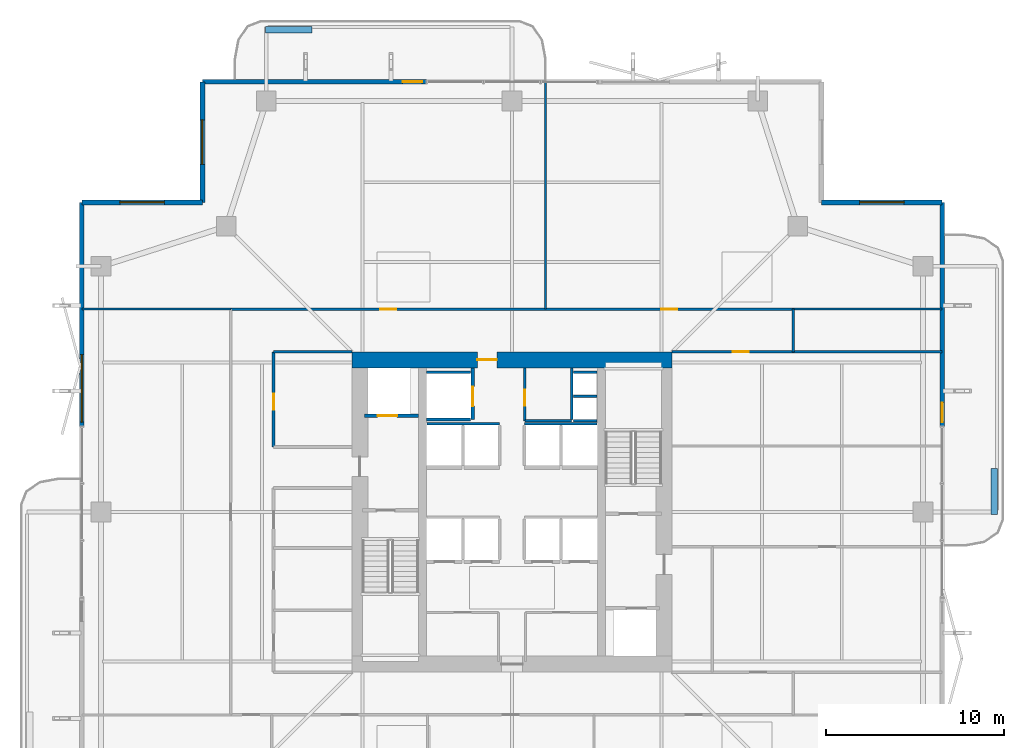
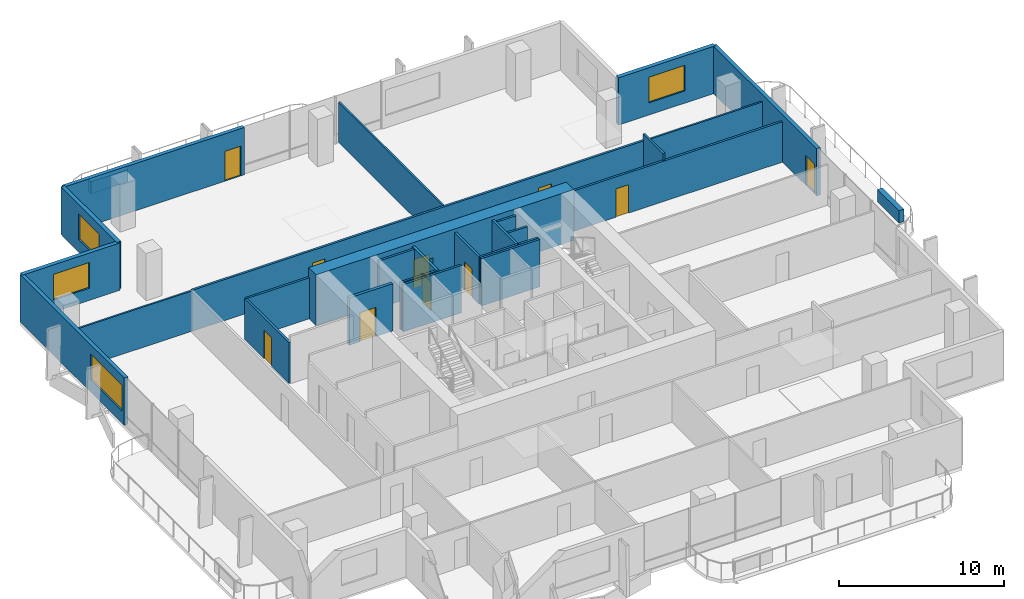
# One storey, part 20 of 24: 29 walls, 10 doors, 4 windows, 14 openings.
"""IFC4 building model written with IfcOpenShell, lengths in metres."""

from ifc_helpers import new_model, si_unit, direction, frame, frame_2d, origin, place, context, subcontext, project, spatial, rectangle, extrude, material, layer, layer_set, type_object, element, fill, save


model = new_model("IFC4")

# Units and contexts
model_context = context("Model", 3, precision=1e-05, world=origin(), true_north=direction((0.0, 1.0)))
body_context = subcontext(model_context, "Body", "Model", "MODEL_VIEW")
ifc_project = project(units=[si_unit("LENGTHUNIT", "METRE"), si_unit("AREAUNIT", "SQUARE_METRE"), si_unit("VOLUMEUNIT", "CUBIC_METRE"), si_unit("PLANEANGLEUNIT", "RADIAN"), si_unit("MASSUNIT", "GRAM", prefix="KILO")], contexts=[model_context])

# Site, building, storey
site_placement = place(None, origin())
site = spatial("IfcSite", under=ifc_project, at=site_placement, CompositionType="ELEMENT")
building_placement = place(site_placement, origin())
building = spatial("IfcBuilding", under=site, at=building_placement, Name="Belovzor Exchange Tower", CompositionType="ELEMENT")
storey_placement = place(building_placement, frame((0.0, 0.0, 168.300048828125)))
storey = spatial("IfcBuildingStorey", under=building, at=storey_placement, Name="L41", CompositionType="ELEMENT", Elevation=168.300048828125)

# Walls
ifc_material_1 = material(Name="Acoustic Plasterboard on Galvanised Studs", Category="gypsum")
ifc_layer_1 = layer(ifc_material_1, 0.1201171875)
ifc_layer_set_1 = layer_set([ifc_layer_1], Name="Acoustic Plasterboard on Galvanised Studs")
wall_type_1 = type_object("IfcWallType", Name="Acoustic Double-Stud Partition Wall 120", PredefinedType="PARTITIONING", material=ifc_layer_set_1)
wall_1_placement = place(storey_placement, frame((30.68994140625, 40.199951171875, 0.0), z_axis=(0.0, 0.0, 1.0), x_axis=(0.0, 1.0, 0.0)))
element("IfcWall", 1, at=wall_1_placement, inside=storey, type_object=wall_type_1, Name="W-P120 Partition Wall W-L41-NDIV-1", PredefinedType="PARTITIONING", context=body_context, shape_type="SweptSolid", body=[
    extrude(rectangle(XDim=12.77001953125, YDim=0.1201171875, at=frame_2d((6.385009765625, 0.0))), origin(), (0.0, 0.0, 1.0), 2.97998046875),
])
wall_2_placement = place(storey_placement, frame((4.6298828125, 40.199951171875, 0.0), z_axis=(0.0, 0.0, 1.0), x_axis=(1.0, 0.0, 0.0)))
element("IfcWall", 2, at=wall_2_placement, inside=storey, type_object=wall_type_1, Name="W-P120 Partition Wall W-L41-END-NW", PredefinedType="PARTITIONING", context=body_context, shape_type="SweptSolid", body=[
    extrude(rectangle(XDim=8.3701171875, YDim=0.1201171875, at=frame_2d((4.18505859375, 0.0))), origin(), (0.0, 0.0, 1.0), 2.97998046875),
])
wall_3_placement = place(storey_placement, frame((44.60009765625, 40.199951171875, 0.0), z_axis=(0.0, 0.0, 1.0), x_axis=(1.0, 0.0, 0.0)))
element("IfcWall", 3, at=wall_3_placement, inside=storey, type_object=wall_type_1, Name="W-P120 Partition Wall W-L41-END-NE", PredefinedType="PARTITIONING", context=body_context, shape_type="SweptSolid", body=[
    extrude(rectangle(XDim=8.369873046875, YDim=0.1201171875, at=frame_2d((4.18505859375, 0.0))), origin(), (0.0, 0.0, 1.0), 2.97998046875),
])

# Wall, opening, door
ifc_material_2 = material(Name="Fire-Rated Gypsum Block and Mineral Wool", Category="gypsum")
ifc_layer_2 = layer(ifc_material_2, 0.14990234375)
ifc_layer_set_2 = layer_set([ifc_layer_2], Name="Fire-Rated Gypsum Block and Mineral Wool")
wall_type_2 = type_object("IfcWallType", Name="Fire-Rated Gypsum Block Corridor Wall 150", PredefinedType="PARTITIONING", material=ifc_layer_set_2)
wall_4_placement = place(storey_placement, frame((29.52490234375, 33.925048828125, 0.0), z_axis=(0.0, 0.0, 1.0), x_axis=(0.0, 1.0, 0.0)))
wall_4 = element("IfcWall", 4, at=wall_4_placement, inside=storey, type_object=wall_type_2, Name="W-P150 Partition Wall W-CRV-L41-W", PredefinedType="PARTITIONING", context=body_context, shape_type="SweptSolid", body=[
    extrude(rectangle(XDim=2.974853515625, YDim=0.14990234375, at=frame_2d((1.4873046875, 0.0))), origin(), (0.0, 0.0, 1.0), 3.494873046875),
])
opening_1_placement = place(wall_4_placement, frame((0.85009765625, 0.0, 0.0)))
opening_1 = element("IfcOpeningElement", 5, at=opening_1_placement, cuts=wall_4, Name="Opening D-FD60-090", PredefinedType="OPENING", context=body_context, shape_type="SweptSolid", body=[
    extrude(rectangle(XDim=0.89990234375, YDim=2.10009765625, at=frame_2d((0.449951171875, 1.050048828125))), frame((0.0, 0.0849609375, 0.0), z_axis=(0.0, -1.0, 0.0), x_axis=(1.0, 0.0, 0.0)), (0.0, 0.0, 1.0), 0.169921875),
])
ifc_material_3 = material(Name="Acoustic Timber Fire Leaf", Category="wood")
door_type_1 = type_object("IfcDoorType", Name="Core Service & Restroom Fire Door 900x2100", OperationType="NOTDEFINED", PredefinedType="DOOR", material=ifc_material_3)
door_1_placement = place(opening_1_placement, origin())
door_1 = element("IfcDoor", 6, at=door_1_placement, inside=storey, type_object=door_type_1, Name="D-FD60-090 Core Service & Restroom Fire Door 900x2100", OperationType="SINGLE_SWING_LEFT", OverallHeight=2.10009765625, OverallWidth=0.89990234375, PredefinedType="DOOR", context=body_context, shape_type="SweptSolid", body=[
    extrude(rectangle(XDim=0.89990234375, YDim=2.10009765625, at=frame_2d((0.449951171875, 1.050048828125))), frame((0.0, 0.02490234375, 0.0), z_axis=(0.0, -1.0, 0.0), x_axis=(1.0, 0.0, 0.0)), (0.0, 0.0, 1.0), 0.050048828125),
])
fill(opening_1, door_1)

# Walls
wall_5_placement = place(storey_placement, frame((29.52490234375, 33.925048828125, 0.0), z_axis=(0.0, 0.0, 1.0), x_axis=(1.0, 0.0, 0.0)))
element("IfcWall", 7, at=wall_5_placement, inside=storey, type_object=wall_type_2, Name="W-P150 Partition Wall W-CRV-L41-S", PredefinedType="PARTITIONING", context=body_context, shape_type="SweptSolid", body=[
    extrude(rectangle(XDim=2.625, YDim=0.14990234375, at=frame_2d((1.3125, 0.0))), origin(), (0.0, 0.0, 1.0), 3.494873046875),
])
wall_6_placement = place(storey_placement, frame((15.39990234375, 37.800048828125, 0.0), z_axis=(0.0, 0.0, 1.0), x_axis=(1.0, 0.0, 0.0)))
element("IfcWall", 8, at=wall_6_placement, inside=storey, type_object=wall_type_2, Name="W-P150 Partition Wall W-L41-INW-N", PredefinedType="PARTITIONING", context=body_context, shape_type="SweptSolid", body=[
    extrude(rectangle(XDim=4.400146484375, YDim=0.14990234375, at=frame_2d((2.2001953125, 0.0))), origin(), (0.0, 0.0, 1.0), 3.030029296875),
])

# Wall, opening, door
wall_7_placement = place(storey_placement, frame((15.39990234375, 32.449951171875, 0.0), z_axis=(0.0, 0.0, 1.0), x_axis=(0.0, 1.0, 0.0)))
wall_7 = element("IfcWall", 9, at=wall_7_placement, inside=storey, type_object=wall_type_2, Name="W-P150 Partition Wall W-L41-WIE-N", PredefinedType="PARTITIONING", context=body_context, shape_type="SweptSolid", body=[
    extrude(rectangle(XDim=5.35009765625, YDim=0.14990234375, at=frame_2d((2.675048828125, 0.0))), origin(), (0.0, 0.0, 1.0), 3.030029296875),
])
opening_2_placement = place(wall_7_placement, frame((2.10009765625, 0.0, 0.0)))
opening_2 = element("IfcOpeningElement", 10, at=opening_2_placement, cuts=wall_7, Name="Opening D-FD60-090", PredefinedType="OPENING", context=body_context, shape_type="SweptSolid", body=[
    extrude(rectangle(XDim=0.89990234375, YDim=2.10009765625, at=frame_2d((0.449951171875, 1.050048828125))), frame((0.0, 0.0849609375, 0.0), z_axis=(0.0, -1.0, 0.0), x_axis=(1.0, 0.0, 0.0)), (0.0, 0.0, 1.0), 0.169921875),
])
door_2_placement = place(opening_2_placement, origin())
door_2 = element("IfcDoor", 11, at=door_2_placement, inside=storey, type_object=door_type_1, Name="D-FD60-090 Core Service & Restroom Fire Door 900x2100", OperationType="SINGLE_SWING_LEFT", OverallHeight=2.10009765625, OverallWidth=0.89990234375, PredefinedType="DOOR", context=body_context, shape_type="SweptSolid", body=[
    extrude(rectangle(XDim=0.89990234375, YDim=2.10009765625, at=frame_2d((0.449951171875, 1.050048828125))), frame((0.0, 0.02490234375, 0.0), z_axis=(0.0, -1.0, 0.0), x_axis=(1.0, 0.0, 0.0)), (0.0, 0.0, 1.0), 0.050048828125),
])
fill(opening_2, door_2)

# Wall
wall_8_placement = place(storey_placement, frame((44.60009765625, 37.800048828125, 0.0), z_axis=(0.0, 0.0, 1.0), x_axis=(0.0, 1.0, 0.0)))
element("IfcWall", 12, at=wall_8_placement, inside=storey, type_object=wall_type_2, Name="W-P150 Partition Wall W-L41-END-EN", PredefinedType="PARTITIONING", context=body_context, shape_type="SweptSolid", body=[
    extrude(rectangle(XDim=2.39990234375, YDim=0.14990234375, at=frame_2d((1.199951171875, 0.0))), origin(), (0.0, 0.0, 1.0), 3.494873046875),
])

# Wall, opening, door
wall_9_placement = place(storey_placement, frame((37.800048828125, 37.800048828125, 0.0), z_axis=(0.0, 0.0, 1.0), x_axis=(1.0, 0.0, 0.0)))
wall_9 = element("IfcWall", 13, at=wall_9_placement, inside=storey, type_object=wall_type_2, Name="W-P150 Partition Wall W-L41-CN-IN", PredefinedType="PARTITIONING", context=body_context, shape_type="SweptSolid", body=[
    extrude(rectangle(XDim=15.169921875, YDim=0.14990234375, at=frame_2d((7.5849609375, 0.0))), origin(), (0.0, 0.0, 1.0), 2.97998046875),
])
opening_3_placement = place(wall_9_placement, frame((3.39990234375, 0.0, 0.0)))
opening_3 = element("IfcOpeningElement", 14, at=opening_3_placement, cuts=wall_9, Name="Opening D-INT-090", PredefinedType="OPENING", context=body_context, shape_type="SweptSolid", body=[
    extrude(rectangle(XDim=0.89990234375, YDim=2.10009765625, at=frame_2d((0.449951171875, 1.050048828125))), frame((0.0, 0.0849609375, 0.0), z_axis=(0.0, -1.0, 0.0), x_axis=(1.0, 0.0, 0.0)), (0.0, 0.0, 1.0), 0.169921875),
])
ifc_material_4 = material(Name="Veneered Hardwood Acoustic Leaf", Category="wood")
door_type_2 = type_object("IfcDoorType", Name="Trading Suite Acoustic Single Door 900x2100", OperationType="NOTDEFINED", PredefinedType="DOOR", material=ifc_material_4)
door_3_placement = place(opening_3_placement, origin())
door_3 = element("IfcDoor", 15, at=door_3_placement, inside=storey, type_object=door_type_2, Name="D-INT-090 Trading Suite Acoustic Single Door 900x2100", OperationType="SINGLE_SWING_RIGHT", OverallHeight=2.10009765625, OverallWidth=0.89990234375, PredefinedType="DOOR", context=body_context, shape_type="SweptSolid", body=[
    extrude(rectangle(XDim=0.89990234375, YDim=2.10009765625, at=frame_2d((0.449951171875, 1.050048828125))), frame((0.0, 0.02490234375, 0.0), z_axis=(0.0, -1.0, 0.0), x_axis=(1.0, 0.0, 0.0)), (0.0, 0.0, 1.0), 0.050048828125),
])
fill(opening_3, door_3)

# Wall, openings, doors
wall_10_placement = place(storey_placement, frame((13.0, 40.199951171875, 0.0), z_axis=(0.0, 0.0, 1.0), x_axis=(1.0, 0.0, 0.0)))
wall_10 = element("IfcWall", 16, at=wall_10_placement, inside=storey, type_object=wall_type_2, Name="W-P150 Partition Wall W-L41-CN", PredefinedType="PARTITIONING", context=body_context, shape_type="SweptSolid", body=[
    extrude(rectangle(XDim=31.60009765625, YDim=0.14990234375, at=frame_2d((15.800048828125, 0.0))), origin(), (0.0, 0.0, 1.0), 3.030029296875),
])
opening_4_placement = place(wall_10_placement, frame((8.39501953125, 0.0, 0.0)))
opening_4 = element("IfcOpeningElement", 17, at=opening_4_placement, cuts=wall_10, Name="Opening D-INT-090", PredefinedType="OPENING", context=body_context, shape_type="SweptSolid", body=[
    extrude(rectangle(XDim=0.89990234375, YDim=2.10009765625, at=frame_2d((0.449951171875, 1.050048828125))), frame((0.0, 0.0849609375, 0.0), z_axis=(0.0, -1.0, 0.0), x_axis=(1.0, 0.0, 0.0)), (0.0, 0.0, 1.0), 0.169921875),
])
opening_5_placement = place(wall_10_placement, frame((24.195068359375, 0.0, 0.0)))
opening_5 = element("IfcOpeningElement", 18, at=opening_5_placement, cuts=wall_10, Name="Opening D-INT-090", PredefinedType="OPENING", context=body_context, shape_type="SweptSolid", body=[
    extrude(rectangle(XDim=0.89990234375, YDim=2.10009765625, at=frame_2d((0.449951171875, 1.050048828125))), frame((0.0, 0.0849609375, 0.0), z_axis=(0.0, -1.0, 0.0), x_axis=(1.0, 0.0, 0.0)), (0.0, 0.0, 1.0), 0.169921875),
])
door_4_placement = place(opening_4_placement, origin())
door_4 = element("IfcDoor", 19, at=door_4_placement, inside=storey, type_object=door_type_2, Name="D-INT-090 Trading Suite Acoustic Single Door 900x2100", OperationType="SINGLE_SWING_LEFT", OverallHeight=2.10009765625, OverallWidth=0.89990234375, PredefinedType="DOOR", context=body_context, shape_type="SweptSolid", body=[
    extrude(rectangle(XDim=0.89990234375, YDim=2.10009765625, at=frame_2d((0.449951171875, 1.050048828125))), frame((0.0, 0.02490234375, 0.0), z_axis=(0.0, -1.0, 0.0), x_axis=(1.0, 0.0, 0.0)), (0.0, 0.0, 1.0), 0.050048828125),
])
fill(opening_4, door_4)
door_5_placement = place(opening_5_placement, origin())
door_5 = element("IfcDoor", 20, at=door_5_placement, inside=storey, type_object=door_type_2, Name="D-INT-090 Trading Suite Acoustic Single Door 900x2100", OperationType="SINGLE_SWING_RIGHT", OverallHeight=2.10009765625, OverallWidth=0.89990234375, PredefinedType="DOOR", context=body_context, shape_type="SweptSolid", body=[
    extrude(rectangle(XDim=0.89990234375, YDim=2.10009765625, at=frame_2d((0.449951171875, 1.050048828125))), frame((0.0, 0.02490234375, 0.0), z_axis=(0.0, -1.0, 0.0), x_axis=(1.0, 0.0, 0.0)), (0.0, 0.0, 1.0), 0.050048828125),
])
fill(opening_5, door_5)

# Wall, opening, window
ifc_material_5 = material(Name="Precast concrete C40/50", Category="concrete")
ifc_layer_3 = layer(ifc_material_5, 0.280029296875)
ifc_layer_set_3 = layer_set([ifc_layer_3], Name="Precast concrete C40/50")
wall_type_3 = type_object("IfcWallType", Name="Precast Concrete Notched Corner Frame Wall 280", PredefinedType="SOLIDWALL", material=ifc_layer_set_3)
wall_11_placement = place(storey_placement, frame((4.6298828125, 46.199951171875, 0.0), z_axis=(0.0, 0.0, 1.0), x_axis=(1.0, 0.0, 0.0)))
wall_11 = element("IfcWall", 21, at=wall_11_placement, inside=storey, type_object=wall_type_3, Name="W-CRN280 Precast Concrete Notched Corner Frame Wall 280 L41", PredefinedType="SOLIDWALL", context=body_context, shape_type="SweptSolid", body=[
    extrude(rectangle(XDim=6.77001953125, YDim=0.280029296875, at=frame_2d((3.385009765625, 0.0))), origin(), (0.0, 0.0, 1.0), 3.494873046875),
])
opening_6_placement = place(wall_11_placement, frame((2.135009765625, 0.0, 0.89990234375)))
opening_6 = element("IfcOpeningElement", 22, at=opening_6_placement, cuts=wall_11, Name="Opening WN-CRN250", PredefinedType="OPENING", context=body_context, shape_type="SweptSolid", body=[
    extrude(rectangle(XDim=2.5, YDim=1.89990234375, at=frame_2d((1.25, 0.949951171875))), frame((0.0, 0.14990234375, 0.0), z_axis=(0.0, -1.0, 0.0), x_axis=(1.0, 0.0, 0.0)), (0.0, 0.0, 1.0), 0.300048828125),
])
ifc_material_6 = material(Name="Thermally Broken Aluminium and Triple Glazing", Category="aluminium")
window_type_1 = type_object("IfcWindowType", Name="Streamline Moderne Corner Wrap Ribbon Window 2500x1900", PartitioningType="SINGLE_PANEL", PredefinedType="WINDOW", material=ifc_material_6)
window_1_placement = place(opening_6_placement, origin())
window_1 = element("IfcWindow", 23, at=window_1_placement, inside=storey, type_object=window_type_1, Name="WN-CRN250 Streamline Moderne Corner Wrap Ribbon Window 2500x1900", OverallHeight=1.89990234375, OverallWidth=2.5, PartitioningType="SINGLE_PANEL", PredefinedType="WINDOW", context=body_context, shape_type="SweptSolid", body=[
    extrude(rectangle(XDim=2.5, YDim=1.89990234375, at=frame_2d((1.25, 0.949951171875))), frame((0.0, 0.030029296875, 0.0), z_axis=(0.0, -1.0, 0.0), x_axis=(1.0, 0.0, 0.0)), (0.0, 0.0, 1.0), 0.06005859375),
])
fill(opening_6, window_1)

wall_12_placement = place(storey_placement, frame((11.39990234375, 46.199951171875, 0.0), z_axis=(0.0, 0.0, 1.0), x_axis=(0.0, 1.0, 0.0)))
wall_12 = element("IfcWall", 24, at=wall_12_placement, inside=storey, type_object=wall_type_3, Name="W-CRN280 Precast Concrete Notched Corner Frame Wall 280 L41", PredefinedType="SOLIDWALL", context=body_context, shape_type="SweptSolid", body=[
    extrude(rectangle(XDim=6.77001953125, YDim=0.280029296875, at=frame_2d((3.385009765625, 0.0))), origin(), (0.0, 0.0, 1.0), 3.494873046875),
])
opening_7_placement = place(wall_12_placement, frame((2.135009765625, 0.0, 0.89990234375)))
opening_7 = element("IfcOpeningElement", 25, at=opening_7_placement, cuts=wall_12, Name="Opening WN-CRN250", PredefinedType="OPENING", context=body_context, shape_type="SweptSolid", body=[
    extrude(rectangle(XDim=2.5, YDim=1.89990234375, at=frame_2d((1.25, 0.949951171875))), frame((0.0, 0.14990234375, 0.0), z_axis=(0.0, -1.0, 0.0), x_axis=(1.0, 0.0, 0.0)), (0.0, 0.0, 1.0), 0.300048828125),
])
window_2_placement = place(opening_7_placement, origin())
window_2 = element("IfcWindow", 26, at=window_2_placement, inside=storey, type_object=window_type_1, Name="WN-CRN250 Streamline Moderne Corner Wrap Ribbon Window 2500x1900", OverallHeight=1.89990234375, OverallWidth=2.5, PartitioningType="SINGLE_PANEL", PredefinedType="WINDOW", context=body_context, shape_type="SweptSolid", body=[
    extrude(rectangle(XDim=2.5, YDim=1.89990234375, at=frame_2d((1.25, 0.949951171875))), frame((0.0, 0.030029296875, 0.0), z_axis=(0.0, -1.0, 0.0), x_axis=(1.0, 0.0, 0.0)), (0.0, 0.0, 1.0), 0.06005859375),
])
fill(opening_7, window_2)

wall_13_placement = place(storey_placement, frame((46.199951171875, 46.199951171875, 0.0), z_axis=(0.0, 0.0, 1.0), x_axis=(1.0, 0.0, 0.0)))
wall_13 = element("IfcWall", 27, at=wall_13_placement, inside=storey, type_object=wall_type_3, Name="W-CRN280 Precast Concrete Notched Corner Frame Wall 280 L41", PredefinedType="SOLIDWALL", context=body_context, shape_type="SweptSolid", body=[
    extrude(rectangle(XDim=6.77001953125, YDim=0.280029296875, at=frame_2d((3.385009765625, 0.0))), origin(), (0.0, 0.0, 1.0), 3.494873046875),
])
opening_8_placement = place(wall_13_placement, frame((2.135009765625, 0.0, 0.89990234375)))
opening_8 = element("IfcOpeningElement", 28, at=opening_8_placement, cuts=wall_13, Name="Opening WN-CRN250", PredefinedType="OPENING", context=body_context, shape_type="SweptSolid", body=[
    extrude(rectangle(XDim=2.5, YDim=1.89990234375, at=frame_2d((1.25, 0.949951171875))), frame((0.0, 0.14990234375, 0.0), z_axis=(0.0, -1.0, 0.0), x_axis=(1.0, 0.0, 0.0)), (0.0, 0.0, 1.0), 0.300048828125),
])
window_3_placement = place(opening_8_placement, origin())
window_3 = element("IfcWindow", 29, at=window_3_placement, inside=storey, type_object=window_type_1, Name="WN-CRN250 Streamline Moderne Corner Wrap Ribbon Window 2500x1900", OverallHeight=1.89990234375, OverallWidth=2.5, PartitioningType="SINGLE_PANEL", PredefinedType="WINDOW", context=body_context, shape_type="SweptSolid", body=[
    extrude(rectangle(XDim=2.5, YDim=1.89990234375, at=frame_2d((1.25, 0.949951171875))), frame((0.0, 0.030029296875, 0.0), z_axis=(0.0, -1.0, 0.0), x_axis=(1.0, 0.0, 0.0)), (0.0, 0.0, 1.0), 0.06005859375),
])
fill(opening_8, window_3)

# Wall, opening, door
ifc_material_7 = material(Name="Precast concrete C40/50", Category="concrete")
ifc_layer_4 = layer(ifc_material_7, 0.260009765625)
ifc_layer_set_4 = layer_set([ifc_layer_4], Name="Precast concrete C40/50")
wall_type_4 = type_object("IfcWallType", Name="Precast Concrete Perimeter Loggia Frame Wall 260", PredefinedType="SOLIDWALL", material=ifc_layer_set_4)
wall_14_placement = place(storey_placement, frame((11.39990234375, 52.969970703125, 0.0), z_axis=(0.0, 0.0, 1.0), x_axis=(1.0, 0.0, 0.0)))
wall_14 = element("IfcWall", 30, at=wall_14_placement, inside=storey, type_object=wall_type_4, Name="W-EXT260 Precast Concrete Perimeter Loggia Frame Wall 260 L41", PredefinedType="SOLIDWALL", context=body_context, shape_type="SweptSolid", body=[
    extrude(rectangle(XDim=12.60009765625, YDim=0.260009765625, at=frame_2d((6.300048828125, 0.0))), origin(), (0.0, 0.0, 1.0), 3.494873046875),
])
opening_9_placement = place(wall_14_placement, frame((11.25, 0.0, 0.0)))
opening_9 = element("IfcOpeningElement", 31, at=opening_9_placement, cuts=wall_14, Name="Opening D-BAL110", PredefinedType="OPENING", context=body_context, shape_type="SweptSolid", body=[
    extrude(rectangle(XDim=1.10009765625, YDim=2.199951171875, at=frame_2d((0.550048828125, 1.10009765625))), frame((0.0, 0.139892578125, 0.0), z_axis=(0.0, -1.0, 0.0), x_axis=(1.0, 0.0, 0.0)), (0.0, 0.0, 1.0), 0.280029296875),
])
ifc_material_8 = material(Name="Thermally Broken Anodised Aluminium and Laminated Glass", Category="aluminium")
door_type_3 = type_object("IfcDoorType", Name="Planted Loggia Terrace Glazed Door 1100x2200", OperationType="SINGLE_SWING_LEFT", PredefinedType="DOOR", material=ifc_material_8)
door_6_placement = place(opening_9_placement, origin())
door_6 = element("IfcDoor", 32, at=door_6_placement, inside=storey, type_object=door_type_3, Name="D-BAL110 Balcony Terrace Door L41 N", OperationType="SINGLE_SWING_RIGHT", OverallHeight=2.199951171875, OverallWidth=1.10009765625, PredefinedType="DOOR", context=body_context, shape_type="SweptSolid", body=[
    extrude(rectangle(XDim=1.10009765625, YDim=2.199951171875, at=frame_2d((0.550048828125, 1.10009765625))), frame((0.0, 0.02490234375, 0.0), z_axis=(0.0, -1.0, 0.0), x_axis=(1.0, 0.0, 0.0)), (0.0, 0.0, 1.0), 0.050048828125),
])
fill(opening_9, door_6)

# Wall, opening, window
wall_15_placement = place(storey_placement, frame((4.6298828125, 33.60009765625, 0.0), z_axis=(0.0, 0.0, 1.0), x_axis=(0.0, 1.0, 0.0)))
wall_15 = element("IfcWall", 33, at=wall_15_placement, inside=storey, type_object=wall_type_4, Name="W-EXT260 Precast Concrete Perimeter Loggia Frame Wall 260 L41", PredefinedType="SOLIDWALL", context=body_context, shape_type="SweptSolid", body=[
    extrude(rectangle(XDim=12.599853515625, YDim=0.260009765625, at=frame_2d((6.2998046875, 0.0))), origin(), (0.0, 0.0, 1.0), 3.494873046875),
])
opening_10_placement = place(wall_15_placement, frame((0.25, 0.0, 0.89990234375)))
opening_10 = element("IfcOpeningElement", 34, at=opening_10_placement, cuts=wall_15, Name="Opening WN-RIB380", PredefinedType="OPENING", context=body_context, shape_type="SweptSolid", body=[
    extrude(rectangle(XDim=3.800048828125, YDim=1.89990234375, at=frame_2d((1.89990234375, 0.949951171875))), frame((0.0, 0.139892578125, 0.0), z_axis=(0.0, -1.0, 0.0), x_axis=(1.0, 0.0, 0.0)), (0.0, 0.0, 1.0), 0.280029296875),
])
ifc_material_9 = material(Name="Thermally Broken Aluminium and Triple Glazing", Category="aluminium")
window_type_2 = type_object("IfcWindowType", Name="Streamline Moderne Horizontal Ribbon Window 3800x1900", PartitioningType="SINGLE_PANEL", PredefinedType="WINDOW", material=ifc_material_9)
window_4_placement = place(opening_10_placement, origin())
window_4 = element("IfcWindow", 35, at=window_4_placement, inside=storey, type_object=window_type_2, Name="WN-RIB380 Streamline Moderne Horizontal Ribbon Window 3800x1900", OverallHeight=1.89990234375, OverallWidth=3.800048828125, PartitioningType="SINGLE_PANEL", PredefinedType="WINDOW", context=body_context, shape_type="SweptSolid", body=[
    extrude(rectangle(XDim=3.800048828125, YDim=1.89990234375, at=frame_2d((1.89990234375, 0.949951171875))), frame((0.0, 0.030029296875, 0.0), z_axis=(0.0, -1.0, 0.0), x_axis=(1.0, 0.0, 0.0)), (0.0, 0.0, 1.0), 0.06005859375),
])
fill(opening_10, window_4)

# Wall, opening, door
wall_16_placement = place(storey_placement, frame((52.969970703125, 46.199951171875, 0.0), z_axis=(0.0, 0.0, 1.0), x_axis=(0.0, -1.0, 0.0)))
wall_16 = element("IfcWall", 36, at=wall_16_placement, inside=storey, type_object=wall_type_4, Name="W-EXT260 Precast Concrete Perimeter Loggia Frame Wall 260 L41", PredefinedType="SOLIDWALL", context=body_context, shape_type="SweptSolid", body=[
    extrude(rectangle(XDim=12.599853515625, YDim=0.260009765625, at=frame_2d((6.2998046875, 0.0))), origin(), (0.0, 0.0, 1.0), 3.494873046875),
])
opening_11_placement = place(wall_16_placement, frame((11.25, 0.0, 0.0)))
opening_11 = element("IfcOpeningElement", 37, at=opening_11_placement, cuts=wall_16, Name="Opening D-BAL110", PredefinedType="OPENING", context=body_context, shape_type="SweptSolid", body=[
    extrude(rectangle(XDim=1.10009765625, YDim=2.199951171875, at=frame_2d((0.550048828125, 1.10009765625))), frame((0.0, 0.139892578125, 0.0), z_axis=(0.0, -1.0, 0.0), x_axis=(1.0, 0.0, 0.0)), (0.0, 0.0, 1.0), 0.280029296875),
])
door_7_placement = place(opening_11_placement, origin())
door_7 = element("IfcDoor", 38, at=door_7_placement, inside=storey, type_object=door_type_3, Name="D-BAL110 Balcony Terrace Door L41 E", OperationType="SINGLE_SWING_LEFT", OverallHeight=2.199951171875, OverallWidth=1.10009765625, PredefinedType="DOOR", context=body_context, shape_type="SweptSolid", body=[
    extrude(rectangle(XDim=1.10009765625, YDim=2.199951171875, at=frame_2d((0.550048828125, 1.10009765625))), frame((0.0, 0.02490234375, 0.0), z_axis=(0.0, -1.0, 0.0), x_axis=(1.0, 0.0, 0.0)), (0.0, 0.0, 1.0), 0.050048828125),
])
fill(opening_11, door_7)

# Walls
ifc_material_10 = material(Name="Precast concrete C40/50", Category="concrete")
ifc_layer_5 = layer(ifc_material_10, 0.35009765625)
ifc_layer_set_5 = layer_set([ifc_layer_5], Name="Precast concrete C40/50")
wall_type_5 = type_object("IfcWallType", Name="Precast Concrete Structural Tree Planter Trough 350", PredefinedType="PARAPET", material=ifc_layer_set_5)
for number, where, z_axis, x_axis, name in (
    (39, (14.949951171875, 55.89990234375, 0.0), (0.0, 0.0, 1.0), (1.0, 0.0, 0.0), "PT-350 Precast Concrete Structural Tree Planter Trough 350 L41"),
    (40, (55.89990234375, 28.64990234375, 0.0), (0.0, 0.0, 1.0), (0.0, 1.0, 0.0), "PT-350 Precast Concrete Structural Tree Planter Trough 350 L41"),
):
    element("IfcWall", number, at=place(storey_placement, frame(where, z_axis=z_axis, x_axis=x_axis)), inside=storey, type_object=wall_type_5, Name=name, PredefinedType="PARAPET", context=body_context, shape_type="SweptSolid", body=[
        extrude(rectangle(XDim=2.60009765625, YDim=0.35009765625, at=frame_2d((1.300048828125, 0.0))), origin(), (0.0, 0.0, 1.0), 0.89990234375),
    ])
ifc_material_11 = material(Name="Concrete C50/60", Category="concrete")
ifc_layer_6 = layer(ifc_material_11, 0.14990234375)
ifc_layer_set_6 = layer_set([ifc_layer_6], Name="Concrete C50/60")
wall_type_6 = type_object("IfcWallType", Name="Reinforced Concrete Core Riser Shear Wall 150", PredefinedType="SHEAR", material=ifc_layer_set_6)
wall_17_placement = place(storey_placement, frame((32.14990234375, 34.0, 0.0), z_axis=(0.0, 0.0, 1.0), x_axis=(0.0, 1.0, 0.0)))
element("IfcWall", 41, at=wall_17_placement, inside=storey, type_object=wall_type_6, Name="W-C150S Core Shaft Wall W-RSR-L41-E", PredefinedType="SHEAR", context=body_context, shape_type="SweptSolid", body=[
    extrude(rectangle(XDim=2.89990234375, YDim=0.14990234375, at=frame_2d((1.449951171875, 0.0))), origin(), (0.0, 0.0, 1.0), 3.494873046875),
])
for number, where, z_axis, x_axis, name in (
    (42, (32.25, 33.925048828125, 0.0), (0.0, 0.0, 1.0), (1.0, 0.0, 0.0), "W-C150S Core Shaft Wall W-RSR-L41-S"),
    (43, (32.25, 35.300048828125, 0.0), (0.0, 0.0, 1.0), (1.0, 0.0, 0.0), "W-C150S Core Shaft Wall W-RSR-L41-M"),
):
    element("IfcWall", number, at=place(storey_placement, frame(where, z_axis=z_axis, x_axis=x_axis)), inside=storey, type_object=wall_type_6, Name=name, PredefinedType="SHEAR", context=body_context, shape_type="SweptSolid", body=[
        extrude(rectangle(XDim=1.330078125, YDim=0.14990234375, at=frame_2d((0.6650390625, 0.0))), origin(), (0.0, 0.0, 1.0), 3.494873046875),
    ])
for number, where, z_axis, x_axis, name in (
    (44, (24.0, 34.0, 0.0), (0.0, 0.0, 1.0), (1.0, 0.0, 0.0), "W-C150S Core Shaft Wall W-SH-L41-SL-01S"),
    (45, (24.0, 36.64990234375, 0.0), (0.0, 0.0, 1.0), (1.0, 0.0, 0.0), "W-C150S Core Shaft Wall W-SH-L41-SL-01N"),
):
    element("IfcWall", number, at=place(storey_placement, frame(where, z_axis=z_axis, x_axis=x_axis)), inside=storey, type_object=wall_type_6, Name=name, PredefinedType="SHEAR", context=body_context, shape_type="SweptSolid", body=[
        extrude(rectangle(XDim=2.47998046875, YDim=0.14990234375, at=frame_2d((1.239990234375, 0.0))), origin(), (0.0, 0.0, 1.0), 3.494873046875),
    ])
wall_18_placement = place(storey_placement, frame((32.25, 36.64990234375, 0.0), z_axis=(0.0, 0.0, 1.0), x_axis=(1.0, 0.0, 0.0)))
element("IfcWall", 46, at=wall_18_placement, inside=storey, type_object=wall_type_6, Name="W-C150S Core Shaft Wall W-RSR-L41-N", PredefinedType="SHEAR", context=body_context, shape_type="SweptSolid", body=[
    extrude(rectangle(XDim=1.330078125, YDim=0.14990234375, at=frame_2d((0.6650390625, 0.0))), origin(), (0.0, 0.0, 1.0), 3.494873046875),
])
for number, where, z_axis, x_axis, name in (
    (47, (24.02001953125, 33.760009765625, 0.0), (0.0, 0.0, 1.0), (1.0, 0.0, 0.0), "W-C150S Core Shaft Wall W-SHB-L41-PLH-NW"),
    (48, (29.5, 33.760009765625, 0.0), (0.0, 0.0, 1.0), (1.0, 0.0, 0.0), "W-C150S Core Shaft Wall W-SHB-L41-PLH-NE"),
):
    element("IfcWall", number, at=place(storey_placement, frame(where, z_axis=z_axis, x_axis=x_axis)), inside=storey, type_object=wall_type_6, Name=name, PredefinedType="SHEAR", context=body_context, shape_type="SweptSolid", body=[
        extrude(rectangle(XDim=4.080078125, YDim=0.14990234375, at=frame_2d((2.0400390625, 0.0))), origin(), (0.0, 0.0, 1.0), 3.494873046875),
    ])

# Wall, opening, door
ifc_material_12 = material(Name="Concrete C50/60", Category="concrete")
ifc_layer_7 = layer(ifc_material_12, 0.199951171875)
ifc_layer_set_7 = layer_set([ifc_layer_7], Name="Concrete C50/60")
wall_type_7 = type_object("IfcWallType", Name="Reinforced Concrete Core Shaft Shear Wall 200", PredefinedType="SHEAR", material=ifc_layer_set_7)
wall_19_placement = place(storey_placement, frame((20.5, 34.199951171875, 0.0), z_axis=(0.0, 0.0, 1.0), x_axis=(1.0, 0.0, 0.0)))
wall_19 = element("IfcWall", 49, at=wall_19_placement, inside=storey, type_object=wall_type_7, Name="W-C200S Core Shaft Wall W-SH-L41-FFL-01", PredefinedType="SHEAR", context=body_context, shape_type="SweptSolid", body=[
    extrude(rectangle(XDim=3.050048828125, YDim=0.199951171875, at=frame_2d((1.52490234375, 0.0))), origin(), (0.0, 0.0, 1.0), 3.494873046875),
])
opening_12_placement = place(wall_19_placement, frame((0.75, 0.0, 0.0)))
opening_12 = element("IfcOpeningElement", 50, at=opening_12_placement, cuts=wall_19, Name="Opening LD-110", PredefinedType="OPENING", context=body_context, shape_type="SweptSolid", body=[
    extrude(rectangle(XDim=1.10009765625, YDim=2.14990234375, at=frame_2d((0.550048828125, 1.074951171875))), frame((0.0, 0.10986328125, 0.0), z_axis=(0.0, -1.0, 0.0), x_axis=(1.0, 0.0, 0.0)), (0.0, 0.0, 1.0), 0.219970703125),
])
ifc_material_13 = material(Name="Stainless Steel Grade 304", Category="steel")
door_type_4 = type_object("IfcDoorType", Name="Automated Stainless Steel Lift Landing Door 1100x2150", OperationType="SLIDING_TO_RIGHT", PredefinedType="DOOR", material=ifc_material_13)
door_8_placement = place(opening_12_placement, origin())
door_8 = element("IfcDoor", 51, at=door_8_placement, inside=storey, type_object=door_type_4, Name="LD-110 Automated Stainless Steel Lift Landing Door 1100x2150", OperationType="SLIDING_TO_RIGHT", OverallHeight=2.14990234375, OverallWidth=1.10009765625, PredefinedType="DOOR", context=body_context, shape_type="SweptSolid", body=[
    extrude(rectangle(XDim=1.10009765625, YDim=2.14990234375, at=frame_2d((0.550048828125, 1.074951171875))), frame((0.0, 0.02490234375, 0.0), z_axis=(0.0, -1.0, 0.0), x_axis=(1.0, 0.0, 0.0)), (0.0, 0.0, 1.0), 0.050048828125),
])
fill(opening_12, door_8)

wall_20_placement = place(storey_placement, frame((26.60009765625, 34.0, 0.0), z_axis=(0.0, 0.0, 1.0), x_axis=(0.0, 1.0, 0.0)))
wall_20 = element("IfcWall", 52, at=wall_20_placement, inside=storey, type_object=wall_type_7, Name="W-C200S Core Shaft Wall W-SH-L41-SL-01", PredefinedType="SHEAR", context=body_context, shape_type="SweptSolid", body=[
    extrude(rectangle(XDim=2.89990234375, YDim=0.199951171875, at=frame_2d((1.449951171875, 0.0))), origin(), (0.0, 0.0, 1.0), 3.494873046875),
])
opening_13_placement = place(wall_20_placement, frame((0.75, 0.0, 0.0)))
opening_13 = element("IfcOpeningElement", 53, at=opening_13_placement, cuts=wall_20, Name="Opening LD-110", PredefinedType="OPENING", context=body_context, shape_type="SweptSolid", body=[
    extrude(rectangle(XDim=1.10009765625, YDim=2.14990234375, at=frame_2d((0.550048828125, 1.074951171875))), frame((0.0, 0.10986328125, 0.0), z_axis=(0.0, -1.0, 0.0), x_axis=(1.0, 0.0, 0.0)), (0.0, 0.0, 1.0), 0.219970703125),
])
door_9_placement = place(opening_13_placement, origin())
door_9 = element("IfcDoor", 54, at=door_9_placement, inside=storey, type_object=door_type_4, Name="LD-110 Automated Stainless Steel Lift Landing Door 1100x2150", OperationType="SLIDING_TO_RIGHT", OverallHeight=2.14990234375, OverallWidth=1.10009765625, PredefinedType="DOOR", context=body_context, shape_type="SweptSolid", body=[
    extrude(rectangle(XDim=1.10009765625, YDim=2.14990234375, at=frame_2d((0.550048828125, 1.074951171875))), frame((0.0, 0.02490234375, 0.0), z_axis=(0.0, -1.0, 0.0), x_axis=(1.0, 0.0, 0.0)), (0.0, 0.0, 1.0), 0.050048828125),
])
fill(opening_13, door_9)

ifc_material_14 = material(Name="Concrete C60/75", Category="concrete")
ifc_layer_8 = layer(ifc_material_14, 0.89990234375)
ifc_layer_set_8 = layer_set([ifc_layer_8], Name="Concrete C60/75")
wall_type_8 = type_object("IfcWallType", Name="Reinforced Concrete Core Shear Wall 900", PredefinedType="SHEAR", material=ifc_layer_set_8)
wall_21_placement = place(storey_placement, frame((19.800048828125, 37.35009765625, 0.0), z_axis=(0.0, 0.0, 1.0), x_axis=(1.0, 0.0, 0.0)))
wall_21 = element("IfcWall", 55, at=wall_21_placement, inside=storey, type_object=wall_type_8, Name="CW-S090 Core Shear Wall L41 N", PredefinedType="SHEAR", context=body_context, shape_type="SweptSolid", body=[
    extrude(rectangle(XDim=18.0, YDim=0.89990234375, at=frame_2d((9.0, 0.0))), origin(), (0.0, 0.0, 1.0), 3.75),
])
opening_14_placement = place(wall_21_placement, frame((7.050048828125, 0.0, 0.0)))
opening_14 = element("IfcOpeningElement", 56, at=opening_14_placement, cuts=wall_21, Name="Opening D-FD90-110", PredefinedType="OPENING", context=body_context, shape_type="SweptSolid", body=[
    extrude(rectangle(XDim=1.10009765625, YDim=2.14990234375, at=frame_2d((0.550048828125, 1.074951171875))), frame((0.0, 0.4599609375, 0.0), z_axis=(0.0, -1.0, 0.0), x_axis=(1.0, 0.0, 0.0)), (0.0, 0.0, 1.0), 0.919921875),
])
ifc_material_15 = material(Name="Fire-Rated Galvanised Steel Leaf", Category="steel")
door_type_5 = type_object("IfcDoorType", Name="Protected Escape Vestibule Fire Door 1100x2150", OperationType="NOTDEFINED", PredefinedType="DOOR", material=ifc_material_15)
door_10_placement = place(opening_14_placement, origin())
door_10 = element("IfcDoor", 57, at=door_10_placement, inside=storey, type_object=door_type_5, Name="D-FD90-110 Protected Escape Vestibule Fire Door 1100x2150", OperationType="SINGLE_SWING_RIGHT", OverallHeight=2.14990234375, OverallWidth=1.10009765625, PredefinedType="DOOR", context=body_context, shape_type="SweptSolid", body=[
    extrude(rectangle(XDim=1.10009765625, YDim=2.14990234375, at=frame_2d((0.550048828125, 1.074951171875))), frame((0.0, 0.02490234375, 0.0), z_axis=(0.0, -1.0, 0.0), x_axis=(1.0, 0.0, 0.0)), (0.0, 0.0, 1.0), 0.050048828125),
])
fill(opening_14, door_10)

save(model, "model.ifc")
